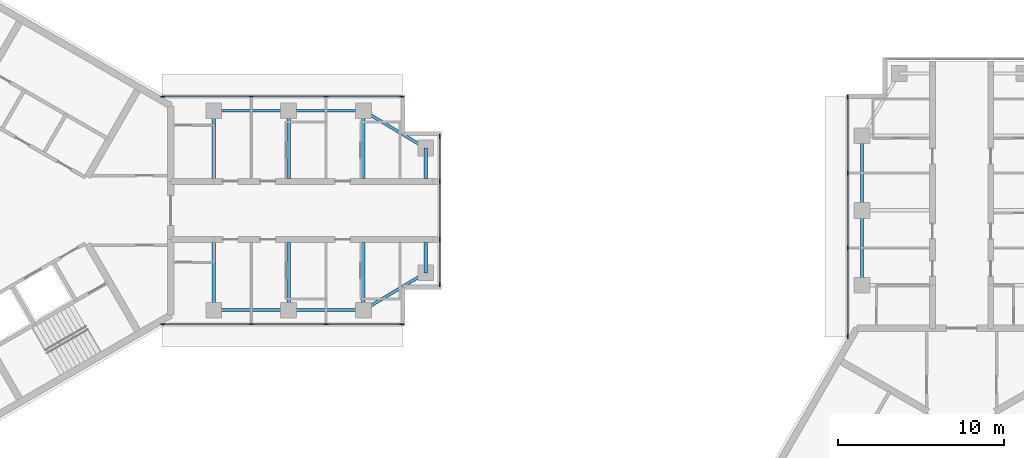
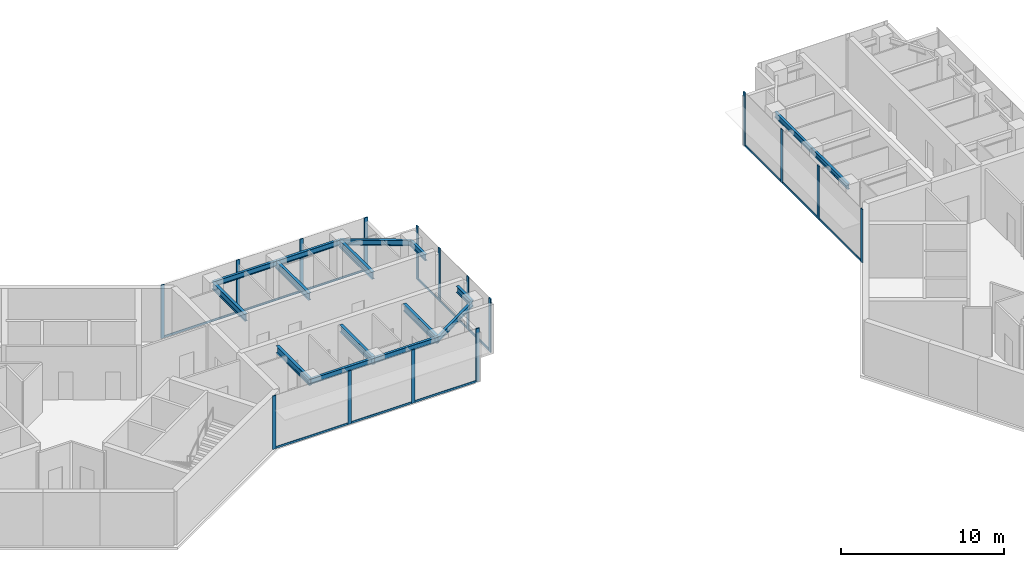
# One storey, part 2 of 11: 28 members, 16 beams, 4 elements without a shape of their own.
"""IFC4 building model written with IfcOpenShell, lengths in metres."""

from ifc_helpers import new_model, si_unit, direction, frame, origin, origin_2d, place, context, subcontext, project, spatial, rectangle, i_section, extrude, material, material_profile, profile_set, type_object, element, aggregate, save


model = new_model("IFC4")

# Units and contexts
model_context = context("Model", 3, precision=1e-05, world=origin(), true_north=direction((0.0, 1.0)))
body_context = subcontext(model_context, "Body", "Model", "MODEL_VIEW")
ifc_project = project(units=[si_unit("LENGTHUNIT", "METRE"), si_unit("AREAUNIT", "SQUARE_METRE"), si_unit("VOLUMEUNIT", "CUBIC_METRE"), si_unit("PLANEANGLEUNIT", "RADIAN"), si_unit("MASSUNIT", "GRAM", prefix="KILO")], contexts=[model_context])

# Site, building, storey
site_placement = place(None, origin())
site = spatial("IfcSite", under=ifc_project, at=site_placement, CompositionType="ELEMENT")
building_placement = place(site_placement, origin())
building = spatial("IfcBuilding", under=site, at=building_placement, Name="Upepo Twin Towers", CompositionType="ELEMENT")
storey_placement = place(building_placement, frame((0.0, 0.0, 287.5)))
storey = spatial("IfcBuildingStorey", under=building, at=storey_placement, Name="L70", CompositionType="ELEMENT", Elevation=287.5)

# Beams
ifc_material_1 = material(Name="Steel S355", Category="steel")
ifc_material_profile_1 = material_profile(ifc_material_1, i_section(OverallWidth=0.177978515625, OverallDepth=0.406494140625, WebThickness=0.0078125, FlangeThickness=0.0126953125, FilletRadius=0.01025390625, at=origin_2d()), Name="UB 406x178x60")
ifc_profile_set_1 = profile_set([ifc_material_profile_1], Name="Steel S355")
beam_type_1 = type_object("IfcBeamType", Name="Beam UB 406x178x60", PredefinedType="BEAM", material=ifc_profile_set_1)
for number, where, z_axis, x_axis, name in (
    (1, (13.5, 6.0, 3.496826171875), (1.0, 0.0, 0.0), (0.0, 1.0, 0.0), "T1 edge beam AL 13.5-18.0"),
    (2, (18.0, 6.0, 3.496826171875), (1.0, 0.0, 0.0), (0.0, 1.0, 0.0), "T1 edge beam AL 18.0-22.5"),
):
    element("IfcBeam", number, at=place(storey_placement, frame(where, z_axis=z_axis, x_axis=x_axis)), inside=storey, type_object=beam_type_1, Name=name, PredefinedType="BEAM", context=body_context, shape_type="SweptSolid", body=[
        extrude(i_section(OverallWidth=0.177978515625, OverallDepth=0.406494140625, WebThickness=0.0078125, FlangeThickness=0.0126953125, FilletRadius=0.01025390625, at=origin_2d()), origin(), (0.0, 0.0, 1.0), 4.5),
    ])
beam_1_placement = place(storey_placement, frame((22.5, 6.0, 3.496826171875), z_axis=(0.857492925713, -0.514495755428, 0.0), x_axis=(0.514495755428, 0.857492925713, 0.0)))
element("IfcBeam", 3, at=beam_1_placement, inside=storey, type_object=beam_type_1, Name="T1 nose edge beam AL", PredefinedType="BEAM", context=body_context, shape_type="SweptSolid", body=[
    extrude(i_section(OverallWidth=0.177978515625, OverallDepth=0.406494140625, WebThickness=0.0078125, FlangeThickness=0.0126953125, FilletRadius=0.01025390625, at=origin_2d()), origin(), (0.0, 0.0, 1.0), 4.373291015625),
])
for number, where, z_axis, x_axis, name in (
    (4, (13.5, -6.0, 3.496826171875), (1.0, 0.0, 0.0), (0.0, 1.0, 0.0), "T1 edge beam AR 13.5-18.0"),
    (5, (18.0, -6.0, 3.496826171875), (1.0, 0.0, 0.0), (0.0, 1.0, 0.0), "T1 edge beam AR 18.0-22.5"),
):
    element("IfcBeam", number, at=place(storey_placement, frame(where, z_axis=z_axis, x_axis=x_axis)), inside=storey, type_object=beam_type_1, Name=name, PredefinedType="BEAM", context=body_context, shape_type="SweptSolid", body=[
        extrude(i_section(OverallWidth=0.177978515625, OverallDepth=0.406494140625, WebThickness=0.0078125, FlangeThickness=0.0126953125, FilletRadius=0.01025390625, at=origin_2d()), origin(), (0.0, 0.0, 1.0), 4.5),
    ])
beam_2_placement = place(storey_placement, frame((22.5, -6.0, 3.496826171875), z_axis=(0.857492925713, 0.514495755428, 0.0), x_axis=(-0.514495755428, 0.857492925713, 0.0)))
element("IfcBeam", 6, at=beam_2_placement, inside=storey, type_object=beam_type_1, Name="T1 nose edge beam AR", PredefinedType="BEAM", context=body_context, shape_type="SweptSolid", body=[
    extrude(i_section(OverallWidth=0.177978515625, OverallDepth=0.406494140625, WebThickness=0.0078125, FlangeThickness=0.0126953125, FilletRadius=0.01025390625, at=origin_2d()), origin(), (0.0, 0.0, 1.0), 4.373291015625),
])
for number, where, z_axis, x_axis, name in (
    (7, (52.5, -4.5, 3.496826171875), (0.0, 1.0, 0.0), (-1.0, 0.0, 0.0), "T2 edge beam AL 13.5-18.0"),
    (8, (52.5, 0.0, 3.496826171875), (0.0, 1.0, 0.0), (-1.0, 0.0, 0.0), "T2 edge beam AL 18.0-22.5"),
):
    element("IfcBeam", number, at=place(storey_placement, frame(where, z_axis=z_axis, x_axis=x_axis)), inside=storey, type_object=beam_type_1, Name=name, PredefinedType="BEAM", context=body_context, shape_type="SweptSolid", body=[
        extrude(i_section(OverallWidth=0.177978515625, OverallDepth=0.406494140625, WebThickness=0.0078125, FlangeThickness=0.0126953125, FilletRadius=0.01025390625, at=origin_2d()), origin(), (0.0, 0.0, 1.0), 4.5),
    ])
ifc_material_2 = material(Name="Steel S355", Category="steel")
ifc_material_profile_2 = material_profile(ifc_material_2, i_section(OverallWidth=0.19140625, OverallDepth=0.4599609375, WebThickness=0.010009765625, FlangeThickness=0.01611328125, FilletRadius=0.01025390625, at=origin_2d()), Name="UB 457x191x82")
ifc_profile_set_2 = profile_set([ifc_material_profile_2], Name="Steel S355")
beam_type_2 = type_object("IfcBeamType", Name="Beam UB 457x191x82", PredefinedType="BEAM", material=ifc_profile_set_2)
for number, where, z_axis, x_axis, name in (
    (9, (26.25, 3.75, 3.469970703125), (0.0, -1.0, 0.0), (1.0, 0.0, 0.0), "T1 nose beam AL"),
    (10, (26.25, -3.75, 3.469970703125), (0.0, 1.0, 0.0), (-1.0, 0.0, 0.0), "T1 nose beam AR"),
):
    element("IfcBeam", number, at=place(storey_placement, frame(where, z_axis=z_axis, x_axis=x_axis)), inside=storey, type_object=beam_type_2, Name=name, PredefinedType="BEAM", context=body_context, shape_type="SweptSolid", body=[
        extrude(i_section(OverallWidth=0.19140625, OverallDepth=0.4599609375, WebThickness=0.010009765625, FlangeThickness=0.01611328125, FilletRadius=0.01025390625, at=origin_2d()), origin(), (0.0, 0.0, 1.0), 1.824951171875),
    ])
ifc_material_3 = material(Name="Steel S355", Category="steel")
ifc_material_profile_3 = material_profile(ifc_material_3, i_section(OverallWidth=0.209228515625, OverallDepth=0.533203125, WebThickness=0.010009765625, FlangeThickness=0.015625, FilletRadius=0.0126953125, at=origin_2d()), Name="UB 533x210x92")
ifc_profile_set_3 = profile_set([ifc_material_profile_3], Name="Steel S355")
beam_type_3 = type_object("IfcBeamType", Name="Beam UB 533x210x92", PredefinedType="BEAM", material=ifc_profile_set_3)
for number, where, z_axis, x_axis, name in (
    (11, (13.5, 6.0, 3.433349609375), (0.0, -1.0, 0.0), (1.0, 0.0, 0.0), "T1 girder AL at 13.5"),
    (12, (18.0, 6.0, 3.433349609375), (0.0, -1.0, 0.0), (1.0, 0.0, 0.0), "T1 girder AL at 18.0"),
    (13, (22.5, 6.0, 3.433349609375), (0.0, -1.0, 0.0), (1.0, 0.0, 0.0), "T1 girder AL at 22.5"),
    (14, (13.5, -6.0, 3.433349609375), (0.0, 1.0, 0.0), (-1.0, 0.0, 0.0), "T1 girder AR at 13.5"),
    (15, (18.0, -6.0, 3.433349609375), (0.0, 1.0, 0.0), (-1.0, 0.0, 0.0), "T1 girder AR at 18.0"),
    (16, (22.5, -6.0, 3.433349609375), (0.0, 1.0, 0.0), (-1.0, 0.0, 0.0), "T1 girder AR at 22.5"),
):
    element("IfcBeam", number, at=place(storey_placement, frame(where, z_axis=z_axis, x_axis=x_axis)), inside=storey, type_object=beam_type_3, Name=name, PredefinedType="BEAM", context=body_context, shape_type="SweptSolid", body=[
        extrude(i_section(OverallWidth=0.209228515625, OverallDepth=0.533203125, WebThickness=0.010009765625, FlangeThickness=0.015625, FilletRadius=0.0126953125, at=origin_2d()), origin(), (0.0, 0.0, 1.0), 4.074951171875),
    ])

# Curtain wall, members
ifc_material_4 = material(Name="Aluminium and fritted glass", Category="aluminium")
curtain_wall_type = type_object("IfcCurtainWallType", Name="Tower curtain wall TW4, fritted glass", PredefinedType="NOTDEFINED", material=ifc_material_4)
curtain_wall_1_placement = place(storey_placement, origin())
curtain_wall_1 = element("IfcCurtainWall", 17, at=curtain_wall_1_placement, inside=storey, type_object=curtain_wall_type, Name="T1 L70 wing A flank L curtain wall", PredefinedType="NOTDEFINED")
ifc_material_5 = material(Name="Aluminium mullion", Category="aluminium")
ifc_material_profile_4 = material_profile(ifc_material_5, rectangle(XDim=0.06494140625, YDim=0.25, at=origin_2d()), Name="MULLION 65x250")
ifc_profile_set_4 = profile_set([ifc_material_profile_4], Name="Aluminium mullion")
member_type_1 = type_object("IfcMemberType", Name="Mullion 65x250 TW4", PredefinedType="MULLION", material=ifc_profile_set_4)
member_1_placement = place(storey_placement, frame((10.419677734375, 6.85009765625, 0.0), z_axis=(0.0, 0.0, 1.0), x_axis=(0.0, 1.0, 0.0)))
member_1 = element("IfcMember", 18, at=member_1_placement, type_object=member_type_1, Name="T1 L70 wing A flank L curtain wall mullion 1", PredefinedType="MULLION", context=body_context, shape_type="SweptSolid", body=[
    extrude(rectangle(XDim=0.06494140625, YDim=0.25, at=origin_2d()), origin(), (0.0, 0.0, 1.0), 4.0),
])
member_2_placement = place(storey_placement, frame((15.75, 6.85009765625, 0.0), z_axis=(0.0, 0.0, 1.0), x_axis=(0.0, 1.0, 0.0)))
member_2 = element("IfcMember", 19, at=member_2_placement, type_object=member_type_1, Name="T1 L70 wing A flank L curtain wall mullion 2", PredefinedType="MULLION", context=body_context, shape_type="SweptSolid", body=[
    extrude(rectangle(XDim=0.06494140625, YDim=0.25, at=origin_2d()), origin(), (0.0, 0.0, 1.0), 4.0),
])
member_3_placement = place(storey_placement, frame((20.25, 6.85009765625, 0.0), z_axis=(0.0, 0.0, 1.0), x_axis=(0.0, 1.0, 0.0)))
member_3 = element("IfcMember", 20, at=member_3_placement, type_object=member_type_1, Name="T1 L70 wing A flank L curtain wall mullion 3", PredefinedType="MULLION", context=body_context, shape_type="SweptSolid", body=[
    extrude(rectangle(XDim=0.06494140625, YDim=0.25, at=origin_2d()), origin(), (0.0, 0.0, 1.0), 4.0),
])
member_4_placement = place(storey_placement, frame((24.8173828125, 6.85009765625, 0.0), z_axis=(0.0, 0.0, 1.0), x_axis=(0.0, 1.0, 0.0)))
member_4 = element("IfcMember", 21, at=member_4_placement, type_object=member_type_1, Name="T1 L70 wing A flank L curtain wall mullion 4", PredefinedType="MULLION", context=body_context, shape_type="SweptSolid", body=[
    extrude(rectangle(XDim=0.06494140625, YDim=0.25, at=origin_2d()), origin(), (0.0, 0.0, 1.0), 4.0),
])

curtain_wall_2_placement = place(storey_placement, origin())
curtain_wall_2 = element("IfcCurtainWall", 22, at=curtain_wall_2_placement, inside=storey, type_object=curtain_wall_type, Name="T1 L70 wing A flank R curtain wall", PredefinedType="NOTDEFINED")
member_5_placement = place(storey_placement, frame((24.8173828125, -6.85009765625, 0.0), z_axis=(0.0, 0.0, 1.0), x_axis=(0.0, -1.0, 0.0)))
member_5 = element("IfcMember", 23, at=member_5_placement, type_object=member_type_1, Name="T1 L70 wing A flank R curtain wall mullion 1", PredefinedType="MULLION", context=body_context, shape_type="SweptSolid", body=[
    extrude(rectangle(XDim=0.06494140625, YDim=0.25, at=origin_2d()), origin(), (0.0, 0.0, 1.0), 4.0),
])
member_6_placement = place(storey_placement, frame((20.25, -6.85009765625, 0.0), z_axis=(0.0, 0.0, 1.0), x_axis=(0.0, -1.0, 0.0)))
member_6 = element("IfcMember", 24, at=member_6_placement, type_object=member_type_1, Name="T1 L70 wing A flank R curtain wall mullion 2", PredefinedType="MULLION", context=body_context, shape_type="SweptSolid", body=[
    extrude(rectangle(XDim=0.06494140625, YDim=0.25, at=origin_2d()), origin(), (0.0, 0.0, 1.0), 4.0),
])
member_7_placement = place(storey_placement, frame((15.75, -6.85009765625, 0.0), z_axis=(0.0, 0.0, 1.0), x_axis=(0.0, -1.0, 0.0)))
member_7 = element("IfcMember", 25, at=member_7_placement, type_object=member_type_1, Name="T1 L70 wing A flank R curtain wall mullion 3", PredefinedType="MULLION", context=body_context, shape_type="SweptSolid", body=[
    extrude(rectangle(XDim=0.06494140625, YDim=0.25, at=origin_2d()), origin(), (0.0, 0.0, 1.0), 4.0),
])
member_8_placement = place(storey_placement, frame((10.419677734375, -6.85009765625, 0.0), z_axis=(0.0, 0.0, 1.0), x_axis=(0.0, -1.0, 0.0)))
member_8 = element("IfcMember", 26, at=member_8_placement, type_object=member_type_1, Name="T1 L70 wing A flank R curtain wall mullion 4", PredefinedType="MULLION", context=body_context, shape_type="SweptSolid", body=[
    extrude(rectangle(XDim=0.06494140625, YDim=0.25, at=origin_2d()), origin(), (0.0, 0.0, 1.0), 4.0),
])

curtain_wall_3_placement = place(storey_placement, origin())
curtain_wall_3 = element("IfcCurtainWall", 27, at=curtain_wall_3_placement, inside=storey, type_object=curtain_wall_type, Name="T1 L70 wing A nose curtain wall", PredefinedType="NOTDEFINED")
member_9_placement = place(storey_placement, frame((27.10009765625, -4.467529296875, 0.0), z_axis=(0.0, 0.0, 1.0), x_axis=(-1.0, 0.0, 0.0)))
member_9 = element("IfcMember", 28, at=member_9_placement, type_object=member_type_1, Name="T1 L70 wing A nose curtain wall mullion 1", PredefinedType="MULLION", context=body_context, shape_type="SweptSolid", body=[
    extrude(rectangle(XDim=0.06494140625, YDim=0.25, at=origin_2d()), origin(), (0.0, 0.0, 1.0), 4.0),
])
member_10_placement = place(storey_placement, frame((27.10009765625, -1.75, 0.0), z_axis=(0.0, 0.0, 1.0), x_axis=(-1.0, 0.0, 0.0)))
member_10 = element("IfcMember", 29, at=member_10_placement, type_object=member_type_1, Name="T1 L70 wing A nose curtain wall mullion 2", PredefinedType="MULLION", context=body_context, shape_type="SweptSolid", body=[
    extrude(rectangle(XDim=0.06494140625, YDim=0.25, at=origin_2d()), origin(), (0.0, 0.0, 1.0), 4.0),
])
member_11_placement = place(storey_placement, frame((27.10009765625, 1.75, 0.0), z_axis=(0.0, 0.0, 1.0), x_axis=(-1.0, 0.0, 0.0)))
member_11 = element("IfcMember", 30, at=member_11_placement, type_object=member_type_1, Name="T1 L70 wing A nose curtain wall mullion 3", PredefinedType="MULLION", context=body_context, shape_type="SweptSolid", body=[
    extrude(rectangle(XDim=0.06494140625, YDim=0.25, at=origin_2d()), origin(), (0.0, 0.0, 1.0), 4.0),
])
member_12_placement = place(storey_placement, frame((27.10009765625, 4.467529296875, 0.0), z_axis=(0.0, 0.0, 1.0), x_axis=(-1.0, 0.0, 0.0)))
member_12 = element("IfcMember", 31, at=member_12_placement, type_object=member_type_1, Name="T1 L70 wing A nose curtain wall mullion 4", PredefinedType="MULLION", context=body_context, shape_type="SweptSolid", body=[
    extrude(rectangle(XDim=0.06494140625, YDim=0.25, at=origin_2d()), origin(), (0.0, 0.0, 1.0), 4.0),
])

curtain_wall_4_placement = place(storey_placement, origin())
curtain_wall_4 = element("IfcCurtainWall", 32, at=curtain_wall_4_placement, inside=storey, type_object=curtain_wall_type, Name="T2 L70 wing A flank L curtain wall", PredefinedType="NOTDEFINED")
member_13_placement = place(storey_placement, frame((51.64990234375, -7.580322265625, 0.0), z_axis=(0.0, 0.0, 1.0), x_axis=(-1.0, 0.0, 0.0)))
member_13 = element("IfcMember", 33, at=member_13_placement, type_object=member_type_1, Name="T2 L70 wing A flank L curtain wall mullion 1", PredefinedType="MULLION", context=body_context, shape_type="SweptSolid", body=[
    extrude(rectangle(XDim=0.06494140625, YDim=0.25, at=origin_2d()), origin(), (0.0, 0.0, 1.0), 4.0),
])
member_14_placement = place(storey_placement, frame((51.64990234375, -2.25, 0.0), z_axis=(0.0, 0.0, 1.0), x_axis=(-1.0, 0.0, 0.0)))
member_14 = element("IfcMember", 34, at=member_14_placement, type_object=member_type_1, Name="T2 L70 wing A flank L curtain wall mullion 2", PredefinedType="MULLION", context=body_context, shape_type="SweptSolid", body=[
    extrude(rectangle(XDim=0.06494140625, YDim=0.25, at=origin_2d()), origin(), (0.0, 0.0, 1.0), 4.0),
])
member_15_placement = place(storey_placement, frame((51.64990234375, 2.25, 0.0), z_axis=(0.0, 0.0, 1.0), x_axis=(-1.0, 0.0, 0.0)))
member_15 = element("IfcMember", 35, at=member_15_placement, type_object=member_type_1, Name="T2 L70 wing A flank L curtain wall mullion 3", PredefinedType="MULLION", context=body_context, shape_type="SweptSolid", body=[
    extrude(rectangle(XDim=0.06494140625, YDim=0.25, at=origin_2d()), origin(), (0.0, 0.0, 1.0), 4.0),
])
member_16_placement = place(storey_placement, frame((51.64990234375, 6.8173828125, 0.0), z_axis=(0.0, 0.0, 1.0), x_axis=(-1.0, 0.0, 0.0)))
member_16 = element("IfcMember", 36, at=member_16_placement, type_object=member_type_1, Name="T2 L70 wing A flank L curtain wall mullion 4", PredefinedType="MULLION", context=body_context, shape_type="SweptSolid", body=[
    extrude(rectangle(XDim=0.06494140625, YDim=0.25, at=origin_2d()), origin(), (0.0, 0.0, 1.0), 4.0),
])

# Member
ifc_material_6 = material(Name="Aluminium transom", Category="aluminium")
ifc_material_profile_5 = material_profile(ifc_material_6, rectangle(XDim=0.06494140625, YDim=0.14990234375, at=origin_2d()), Name="TRANSOM 65x150")
ifc_profile_set_5 = profile_set([ifc_material_profile_5], Name="Aluminium transom")
member_type_2 = type_object("IfcMemberType", Name="Transom 65x150 TW4", PredefinedType="USERDEFINED", material=ifc_profile_set_5)
member_17_placement = place(storey_placement, frame((10.4521484375, 6.85009765625, 0.074951171875), z_axis=(1.0, 0.0, 0.0), x_axis=(0.0, 1.0, 0.0)))
member_17 = element("IfcMember", 37, at=member_17_placement, type_object=member_type_2, Name="T1 L70 wing A flank L curtain wall transom 1", ObjectType="TRANSOM", PredefinedType="USERDEFINED", context=body_context, shape_type="SweptSolid", body=[
    extrude(rectangle(XDim=0.06494140625, YDim=0.14990234375, at=origin_2d()), origin(), (0.0, 0.0, 1.0), 5.265380859375),
])

member_18_placement = place(storey_placement, frame((15.782470703125, 6.85009765625, 0.074951171875), z_axis=(1.0, 0.0, 0.0), x_axis=(0.0, 1.0, 0.0)))
member_18 = element("IfcMember", 38, at=member_18_placement, type_object=member_type_2, Name="T1 L70 wing A flank L curtain wall transom 2", ObjectType="TRANSOM", PredefinedType="USERDEFINED", context=body_context, shape_type="SweptSolid", body=[
    extrude(rectangle(XDim=0.06494140625, YDim=0.14990234375, at=origin_2d()), origin(), (0.0, 0.0, 1.0), 4.43505859375),
])

member_19_placement = place(storey_placement, frame((20.282470703125, 6.85009765625, 0.074951171875), z_axis=(1.0, 0.0, 0.0), x_axis=(0.0, 1.0, 0.0)))
member_19 = element("IfcMember", 39, at=member_19_placement, type_object=member_type_2, Name="T1 L70 wing A flank L curtain wall transom 3", ObjectType="TRANSOM", PredefinedType="USERDEFINED", context=body_context, shape_type="SweptSolid", body=[
    extrude(rectangle(XDim=0.06494140625, YDim=0.14990234375, at=origin_2d()), origin(), (0.0, 0.0, 1.0), 4.50244140625),
])

aggregate(curtain_wall_1, [member_1, member_2, member_3, member_4, member_17, member_18, member_19])

member_20_placement = place(storey_placement, frame((24.784912109375, -6.85009765625, 0.074951171875), z_axis=(-1.0, 0.0, 0.0), x_axis=(0.0, -1.0, 0.0)))
member_20 = element("IfcMember", 40, at=member_20_placement, type_object=member_type_2, Name="T1 L70 wing A flank R curtain wall transom 1", ObjectType="TRANSOM", PredefinedType="USERDEFINED", context=body_context, shape_type="SweptSolid", body=[
    extrude(rectangle(XDim=0.06494140625, YDim=0.14990234375, at=origin_2d()), origin(), (0.0, 0.0, 1.0), 4.50244140625),
])

member_21_placement = place(storey_placement, frame((20.217529296875, -6.85009765625, 0.074951171875), z_axis=(-1.0, 0.0, 0.0), x_axis=(0.0, -1.0, 0.0)))
member_21 = element("IfcMember", 41, at=member_21_placement, type_object=member_type_2, Name="T1 L70 wing A flank R curtain wall transom 2", ObjectType="TRANSOM", PredefinedType="USERDEFINED", context=body_context, shape_type="SweptSolid", body=[
    extrude(rectangle(XDim=0.06494140625, YDim=0.14990234375, at=origin_2d()), origin(), (0.0, 0.0, 1.0), 4.43505859375),
])

member_22_placement = place(storey_placement, frame((15.717529296875, -6.85009765625, 0.074951171875), z_axis=(-1.0, 0.0, 0.0), x_axis=(0.0, -1.0, 0.0)))
member_22 = element("IfcMember", 42, at=member_22_placement, type_object=member_type_2, Name="T1 L70 wing A flank R curtain wall transom 3", ObjectType="TRANSOM", PredefinedType="USERDEFINED", context=body_context, shape_type="SweptSolid", body=[
    extrude(rectangle(XDim=0.06494140625, YDim=0.14990234375, at=origin_2d()), origin(), (0.0, 0.0, 1.0), 5.265380859375),
])

aggregate(curtain_wall_2, [member_5, member_6, member_7, member_8, member_20, member_21, member_22])

member_23_placement = place(storey_placement, frame((27.10009765625, -4.43505859375, 0.074951171875), z_axis=(0.0, 1.0, 0.0), x_axis=(-1.0, 0.0, 0.0)))
member_23 = element("IfcMember", 43, at=member_23_placement, type_object=member_type_2, Name="T1 L70 wing A nose curtain wall transom 1", ObjectType="TRANSOM", PredefinedType="USERDEFINED", context=body_context, shape_type="SweptSolid", body=[
    extrude(rectangle(XDim=0.06494140625, YDim=0.14990234375, at=origin_2d()), origin(), (0.0, 0.0, 1.0), 2.652587890625),
])

member_24_placement = place(storey_placement, frame((27.10009765625, -1.717529296875, 0.074951171875), z_axis=(0.0, 1.0, 0.0), x_axis=(-1.0, 0.0, 0.0)))
member_24 = element("IfcMember", 44, at=member_24_placement, type_object=member_type_2, Name="T1 L70 wing A nose curtain wall transom 2", ObjectType="TRANSOM", PredefinedType="USERDEFINED", context=body_context, shape_type="SweptSolid", body=[
    extrude(rectangle(XDim=0.06494140625, YDim=0.14990234375, at=origin_2d()), origin(), (0.0, 0.0, 1.0), 3.43505859375),
])

member_25_placement = place(storey_placement, frame((27.10009765625, 1.782470703125, 0.074951171875), z_axis=(0.0, 1.0, 0.0), x_axis=(-1.0, 0.0, 0.0)))
member_25 = element("IfcMember", 45, at=member_25_placement, type_object=member_type_2, Name="T1 L70 wing A nose curtain wall transom 3", ObjectType="TRANSOM", PredefinedType="USERDEFINED", context=body_context, shape_type="SweptSolid", body=[
    extrude(rectangle(XDim=0.06494140625, YDim=0.14990234375, at=origin_2d()), origin(), (0.0, 0.0, 1.0), 2.652587890625),
])

aggregate(curtain_wall_3, [member_9, member_10, member_11, member_12, member_23, member_24, member_25])

member_26_placement = place(storey_placement, frame((51.64990234375, -7.5478515625, 0.074951171875), z_axis=(0.0, 1.0, 0.0), x_axis=(-1.0, 0.0, 0.0)))
member_26 = element("IfcMember", 46, at=member_26_placement, type_object=member_type_2, Name="T2 L70 wing A flank L curtain wall transom 1", ObjectType="TRANSOM", PredefinedType="USERDEFINED", context=body_context, shape_type="SweptSolid", body=[
    extrude(rectangle(XDim=0.06494140625, YDim=0.14990234375, at=origin_2d()), origin(), (0.0, 0.0, 1.0), 5.265380859375),
])

member_27_placement = place(storey_placement, frame((51.64990234375, -2.217529296875, 0.074951171875), z_axis=(0.0, 1.0, 0.0), x_axis=(-1.0, 0.0, 0.0)))
member_27 = element("IfcMember", 47, at=member_27_placement, type_object=member_type_2, Name="T2 L70 wing A flank L curtain wall transom 2", ObjectType="TRANSOM", PredefinedType="USERDEFINED", context=body_context, shape_type="SweptSolid", body=[
    extrude(rectangle(XDim=0.06494140625, YDim=0.14990234375, at=origin_2d()), origin(), (0.0, 0.0, 1.0), 4.43505859375),
])

member_28_placement = place(storey_placement, frame((51.64990234375, 2.282470703125, 0.074951171875), z_axis=(0.0, 1.0, 0.0), x_axis=(-1.0, 0.0, 0.0)))
member_28 = element("IfcMember", 48, at=member_28_placement, type_object=member_type_2, Name="T2 L70 wing A flank L curtain wall transom 3", ObjectType="TRANSOM", PredefinedType="USERDEFINED", context=body_context, shape_type="SweptSolid", body=[
    extrude(rectangle(XDim=0.06494140625, YDim=0.14990234375, at=origin_2d()), origin(), (0.0, 0.0, 1.0), 4.50244140625),
])

aggregate(curtain_wall_4, [member_13, member_14, member_15, member_16, member_26, member_27, member_28])

save(model, "model.ifc")
